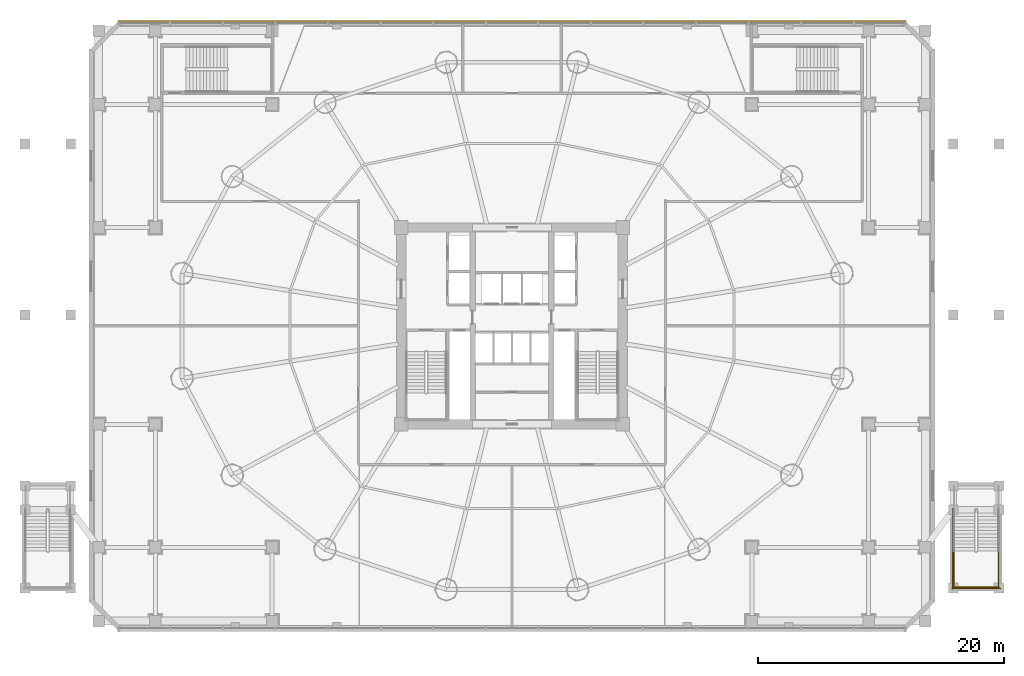
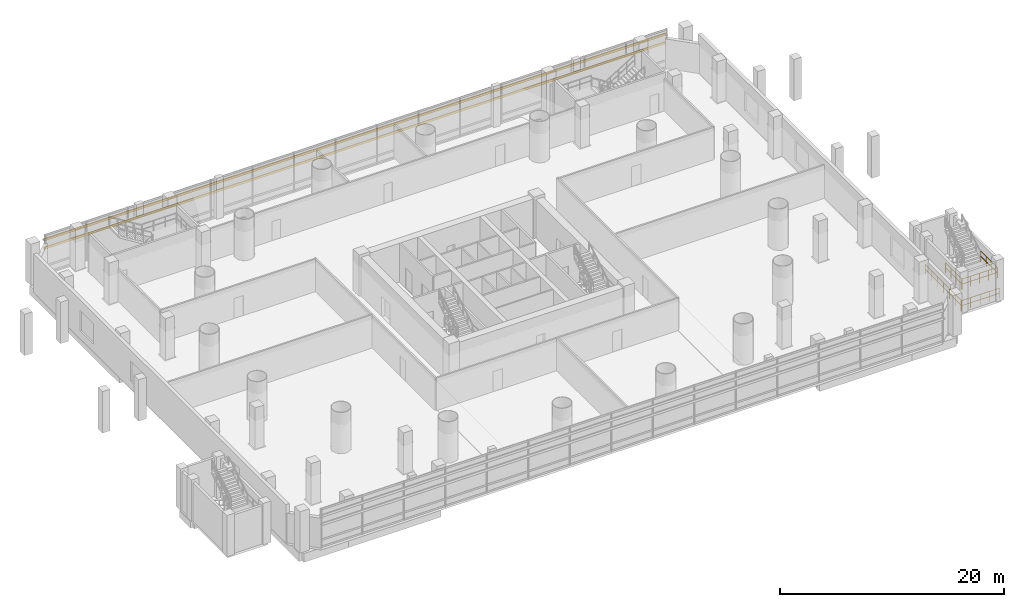
# One storey, part 34 of 36: 5 railings, 2 shading devices.
"""IFC4 building model written with IfcOpenShell, lengths in metres."""

from ifc_helpers import new_model, si_unit, direction, frame, origin, origin_2d, place, context, subcontext, project, spatial, rectangle, hollow_rectangle, extrude, source, transform, mapped, material, material_profile, profile_set, type_object, element, save


model = new_model("IFC4")

# Units and contexts
model_context = context("Model", 3, precision=1e-05, world=origin(), true_north=direction((-0.2419218956, 0.970295726276)))
body_context = subcontext(model_context, "Body", "Model", "MODEL_VIEW")
ifc_project = project(units=[si_unit("LENGTHUNIT", "METRE"), si_unit("AREAUNIT", "SQUARE_METRE"), si_unit("VOLUMEUNIT", "CUBIC_METRE"), si_unit("PLANEANGLEUNIT", "RADIAN"), si_unit("MASSUNIT", "GRAM", prefix="KILO")], contexts=[model_context])

# Site, building, storey
site_placement = place(None, origin())
site = spatial("IfcSite", under=ifc_project, at=site_placement, CompositionType="ELEMENT")
building_placement = place(site_placement, origin())
building = spatial("IfcBuilding", under=site, at=building_placement, Name="Cobrevalo Terracotta Tower", CompositionType="ELEMENT")
storey_placement = place(building_placement, frame((0.0, 0.0, 5.39990234375)))
storey = spatial("IfcBuildingStorey", under=building, at=storey_placement, Name="L01", CompositionType="ELEMENT", Elevation=5.39990234375)

# Railings
ifc_material_1 = material(Name="Painted galvanized steel", Category="steel")
railing_type = type_object("IfcRailingType", Name="Stair Well Guard Balustrade 1150", PredefinedType="GUARDRAIL", material=ifc_material_1)
for number, where, name in (
    (1, (73.929931640625, 8.489990234375, 2.25), "L01 ST-EXT-E stair guard 3"),
    (2, (77.550048828125, 8.489990234375, 2.25), "L01 ST-EXT-E stair guard 4"),
):
    element("IfcRailing", number, at=place(storey_placement, frame(where)), inside=storey, type_object=railing_type, Name=name, PredefinedType="GUARDRAIL", context=body_context, shape_type="SweptSolid", body=[
        extrude(rectangle(XDim=0.048095703125, YDim=0.048095703125, at=origin_2d()), frame((0.0, 0.0, 1.1259765625), z_axis=(0.0, -1.0, 0.0), x_axis=(1.0, 0.0, 0.0)), (0.0, 0.0, 1.0), 2.989990234375),
        extrude(rectangle(XDim=0.048095703125, YDim=0.048095703125, at=origin_2d()), frame((0.0, 0.0, 0.574951171875), z_axis=(0.0, -1.0, 0.0), x_axis=(1.0, 0.0, 0.0)), (0.0, 0.0, 1.0), 2.989990234375),
        extrude(rectangle(XDim=0.0419921875, YDim=0.0419921875, at=origin_2d()), origin(), (0.0, 0.0, 1.0), 1.101806640625),
        extrude(rectangle(XDim=0.0419921875, YDim=0.0419921875, at=origin_2d()), frame((0.0, -0.99658203125, 0.0)), (0.0, 0.0, 1.0), 1.101806640625),
        extrude(rectangle(XDim=0.0419921875, YDim=0.0419921875, at=origin_2d()), frame((0.0, -1.993408203125, 0.0)), (0.0, 0.0, 1.0), 1.101806640625),
        extrude(rectangle(XDim=0.0419921875, YDim=0.0419921875, at=origin_2d()), frame((0.0, -2.989990234375, 0.0)), (0.0, 0.0, 1.0), 1.101806640625),
    ])
railing_1_placement = place(storey_placement, frame((73.8798828125, 5.550048828125, 2.25)))
element("IfcRailing", 3, at=railing_1_placement, inside=storey, type_object=railing_type, Name="L01 ST-EXT-E stair guard 5", PredefinedType="GUARDRAIL", context=body_context, shape_type="SweptSolid", body=[
    extrude(rectangle(XDim=0.048095703125, YDim=0.048095703125, at=origin_2d()), frame((0.0, 0.0, 1.1259765625), z_axis=(1.0, 0.0, 0.0), x_axis=(0.0, 1.0, 0.0)), (0.0, 0.0, 1.0), 3.72021484375),
    extrude(rectangle(XDim=0.048095703125, YDim=0.048095703125, at=origin_2d()), frame((0.0, 0.0, 0.574951171875), z_axis=(1.0, 0.0, 0.0), x_axis=(0.0, 1.0, 0.0)), (0.0, 0.0, 1.0), 3.72021484375),
    extrude(rectangle(XDim=0.0419921875, YDim=0.0419921875, at=origin_2d()), origin(), (0.0, 0.0, 1.0), 1.101806640625),
    extrude(rectangle(XDim=0.0419921875, YDim=0.0419921875, at=origin_2d()), frame((0.93017578125, 0.0, 0.0)), (0.0, 0.0, 1.0), 1.101806640625),
    extrude(rectangle(XDim=0.0419921875, YDim=0.0419921875, at=origin_2d()), frame((1.860107421875, 0.0, 0.0)), (0.0, 0.0, 1.0), 1.101806640625),
    extrude(rectangle(XDim=0.0419921875, YDim=0.0419921875, at=origin_2d()), frame((2.7900390625, 0.0, 0.0)), (0.0, 0.0, 1.0), 1.101806640625),
    extrude(rectangle(XDim=0.0419921875, YDim=0.0419921875, at=origin_2d()), frame((3.72021484375, 0.0, 0.0)), (0.0, 0.0, 1.0), 1.101806640625),
])
railing_2_placement = place(storey_placement, frame((73.830078125, 11.949951171875, 0.0)))
element("IfcRailing", 4, at=railing_2_placement, inside=storey, type_object=railing_type, Name="L01 ST-EXT-E stair guard 10", PredefinedType="GUARDRAIL", context=body_context, shape_type="SweptSolid", body=[
    extrude(rectangle(XDim=0.048095703125, YDim=0.048095703125, at=origin_2d()), frame((0.0, 0.0, 1.1259765625), z_axis=(0.0, -1.0, 0.0), x_axis=(1.0, 0.0, 0.0)), (0.0, 0.0, 1.0), 6.550048828125),
    extrude(rectangle(XDim=0.048095703125, YDim=0.048095703125, at=origin_2d()), frame((0.0, 0.0, 0.574951171875), z_axis=(0.0, -1.0, 0.0), x_axis=(1.0, 0.0, 0.0)), (0.0, 0.0, 1.0), 6.550048828125),
    extrude(rectangle(XDim=0.0419921875, YDim=0.0419921875, at=origin_2d()), origin(), (0.0, 0.0, 1.0), 1.101806640625),
    extrude(rectangle(XDim=0.0419921875, YDim=0.0419921875, at=origin_2d()), frame((0.0, -1.091796875, 0.0)), (0.0, 0.0, 1.0), 1.101806640625),
    extrude(rectangle(XDim=0.0419921875, YDim=0.0419921875, at=origin_2d()), frame((0.0, -2.183349609375, 0.0)), (0.0, 0.0, 1.0), 1.101806640625),
    extrude(rectangle(XDim=0.0419921875, YDim=0.0419921875, at=origin_2d()), frame((0.0, -3.27490234375, 0.0)), (0.0, 0.0, 1.0), 1.101806640625),
    extrude(rectangle(XDim=0.0419921875, YDim=0.0419921875, at=origin_2d()), frame((0.0, -4.36669921875, 0.0)), (0.0, 0.0, 1.0), 1.101806640625),
    extrude(rectangle(XDim=0.0419921875, YDim=0.0419921875, at=origin_2d()), frame((0.0, -5.45849609375, 0.0)), (0.0, 0.0, 1.0), 1.101806640625),
    extrude(rectangle(XDim=0.0419921875, YDim=0.0419921875, at=origin_2d()), frame((0.0, -6.550048828125, 0.0)), (0.0, 0.0, 1.0), 1.101806640625),
])
railing_3_placement = place(storey_placement, frame((73.780029296875, 5.449951171875, 0.0)))
element("IfcRailing", 5, at=railing_3_placement, inside=storey, type_object=railing_type, Name="L01 ST-EXT-E stair guard 12", PredefinedType="GUARDRAIL", context=body_context, shape_type="SweptSolid", body=[
    extrude(rectangle(XDim=0.048095703125, YDim=0.048095703125, at=origin_2d()), frame((0.0, 0.0, 1.1259765625), z_axis=(1.0, 0.0, 0.0), x_axis=(0.0, 1.0, 0.0)), (0.0, 0.0, 1.0), 3.919921875),
    extrude(rectangle(XDim=0.048095703125, YDim=0.048095703125, at=origin_2d()), frame((0.0, 0.0, 0.574951171875), z_axis=(1.0, 0.0, 0.0), x_axis=(0.0, 1.0, 0.0)), (0.0, 0.0, 1.0), 3.919921875),
    extrude(rectangle(XDim=0.0419921875, YDim=0.0419921875, at=origin_2d()), origin(), (0.0, 0.0, 1.0), 1.101806640625),
    extrude(rectangle(XDim=0.0419921875, YDim=0.0419921875, at=origin_2d()), frame((0.97998046875, 0.0, 0.0)), (0.0, 0.0, 1.0), 1.101806640625),
    extrude(rectangle(XDim=0.0419921875, YDim=0.0419921875, at=origin_2d()), frame((1.9599609375, 0.0, 0.0)), (0.0, 0.0, 1.0), 1.101806640625),
    extrude(rectangle(XDim=0.0419921875, YDim=0.0419921875, at=origin_2d()), frame((2.93994140625, 0.0, 0.0)), (0.0, 0.0, 1.0), 1.101806640625),
    extrude(rectangle(XDim=0.0419921875, YDim=0.0419921875, at=origin_2d()), frame((3.919921875, 0.0, 0.0)), (0.0, 0.0, 1.0), 1.101806640625),
])

# Shading devices
ifc_material_2 = material(Name="Extruded fired architectural terracotta", Category="masonry")
ifc_material_profile = material_profile(ifc_material_2, hollow_rectangle(XDim=0.110107421875, YDim=0.239990234375, WallThickness=0.01806640625, at=origin_2d()), Name="BAGUETTE 110x240")
ifc_profile_set = profile_set([ifc_material_profile], Name="Extruded fired architectural terracotta")
shading_device_type = type_object("IfcShadingDeviceType", Name="Horizontal Terracotta Baguette Screen 110x240", PredefinedType="USERDEFINED", material=ifc_profile_set)
shared_shape = source(origin(), body_context, "Body", "SweptSolid", [
    extrude(hollow_rectangle(XDim=0.110107421875, YDim=0.239990234375, WallThickness=0.01806640625, at=origin_2d()), origin(), (0.0, 0.0, 1.0), 64.02001953125),
])
for number, where, z_axis, x_axis, name in (
    (6, (70.010009765625, 51.580078125, 2.60400390625), (-1.0, 0.0, 0.0), (0.0, -1.0, 0.0), "CW-POD-L01-N horizontal terracotta baguette 1"),
    (7, (70.010009765625, 51.580078125, 3.528076171875), (-1.0, 0.0, 0.0), (0.0, -1.0, 0.0), "CW-POD-L01-N horizontal terracotta baguette 2"),
):
    element("IfcShadingDevice", number, at=place(storey_placement, frame(where, z_axis=z_axis, x_axis=x_axis)), inside=storey, type_object=shading_device_type, Name=name, ObjectType="BAGUETTE", PredefinedType="USERDEFINED", context=body_context, shape_type="MappedRepresentation", body=[
        mapped(shared_shape, transform((0.0, 0.0, 0.0), scale=1.0)),
    ])

save(model, "model.ifc")
